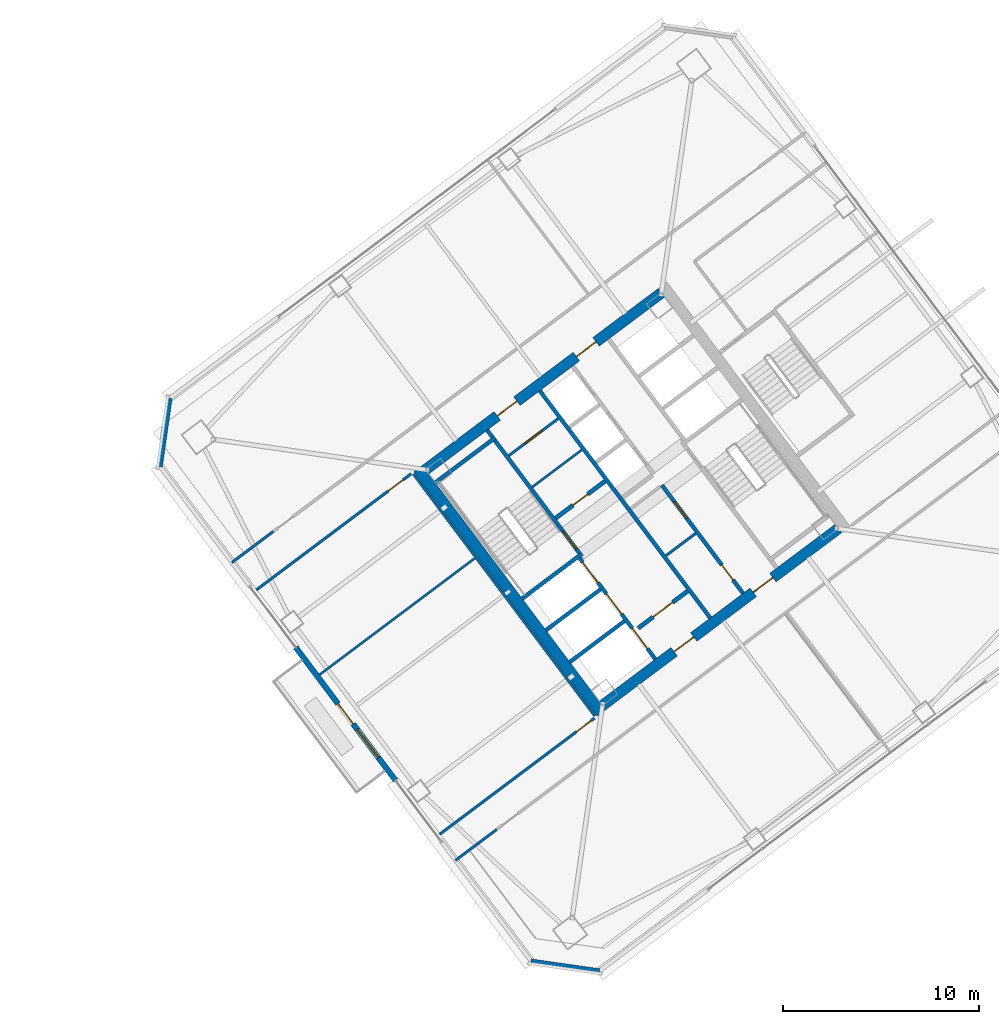
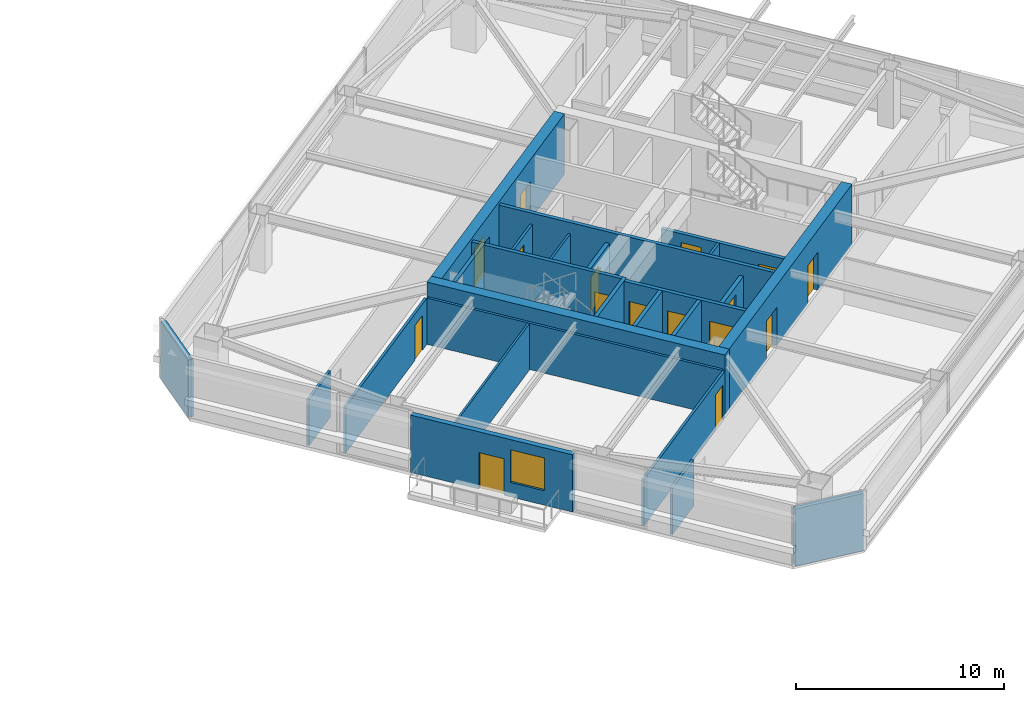
# One storey, part 32 of 40: 25 walls, 16 doors, 1 window, 17 openings.
"""IFC4 building model written with IfcOpenShell, lengths in metres."""

import ifcopenshell
import ifcopenshell.guid

model = None  # the IFC model being written
_history = None  # IfcOwnerHistory: only IFC2X3 demands one
_inside = {}  # id of a spatial element -> (the spatial element, [elements in it])
_under = {}  # id of a project, library or spatial element -> (it, [spatial elements below it])
_declared = {}  # id of a project -> (the project, [libraries it declares])
_typed = {}  # id of a type object -> (the type object, [elements of that type])
_made_of = {}  # id of a material, layer set ... -> (it, [elements and type objects made of it])


def new_model(schema):
    """Start an empty IFC model of exactly this schema.

    Asked for "IFC4X3", IfcOpenShell would pick the latest addendum, in which some entities
    have other attributes; the version numbers below select the first issue.
    IFC2X3 requires an IfcOwnerHistory on every rooted entity: one is made here for all.
    """
    global model, _history
    if schema == "IFC4X3":
        model = ifcopenshell.file(schema_version=(4, 3, 0, 0))
    else:
        model = ifcopenshell.file(schema=schema)
    _inside.clear()
    _under.clear()
    _declared.clear()
    _typed.clear()
    _made_of.clear()
    _history = None
    if model.schema == "IFC2X3":
        org = make("IfcOrganization", Name="unknown")
        user = make(
            "IfcPersonAndOrganization",
            ThePerson=make("IfcPerson", FamilyName="unknown"),
            TheOrganization=org,
        )
        app = make(
            "IfcApplication",
            ApplicationDeveloper=org,
            Version="unknown",
            ApplicationFullName="unknown",
            ApplicationIdentifier="unknown",
        )
        _history = make(
            "IfcOwnerHistory",
            OwningUser=user,
            OwningApplication=app,
            ChangeAction="ADDED",
            CreationDate=0,
        )
    return model


def make(cls, **values):
    """One entity of the class cls with the attributes given. An attribute that is None is left unset."""
    return model.create_entity(
        cls, **{name: value for name, value in values.items() if value is not None}
    )


def rooted(cls, **values):
    """An entity with a GlobalId (a new one), such as an element, a storey or a relation."""
    return make(cls, GlobalId=ifcopenshell.guid.new(), OwnerHistory=_history, **values)


def si_unit(unit_type, name, prefix=None):
    """IfcSIUnit, for example si_unit("LENGTHUNIT", "METRE", prefix="MILLI")."""
    return make("IfcSIUnit", UnitType=unit_type, Prefix=prefix, Name=name)


def assignment(units):
    """IfcUnitAssignment: the units of a project."""
    return None if units is None else make("IfcUnitAssignment", Units=units)


def point(xyz):
    """IfcCartesianPoint."""
    return None if xyz is None else make("IfcCartesianPoint", Coordinates=xyz)


def direction(xyz):
    """IfcDirection."""
    return None if xyz is None else make("IfcDirection", DirectionRatios=xyz)


def frame(location, z_axis=None, x_axis=None):
    """IfcAxis2Placement3D, a coordinate frame: its origin and axes. An axis left out is left unset."""
    return make(
        "IfcAxis2Placement3D",
        Location=point(location),
        Axis=direction(z_axis),
        RefDirection=direction(x_axis),
    )


def frame_2d(location, x_axis=None):
    """IfcAxis2Placement2D, a coordinate frame in the plane: its origin and x axis."""
    return make(
        "IfcAxis2Placement2D", Location=point(location), RefDirection=direction(x_axis)
    )


def origin():
    """The frame at (0, 0, 0) with its axes left unset."""
    return frame((0.0, 0.0, 0.0))


def place(relative_to, where):
    """IfcLocalPlacement: puts the frame where relative to a parent placement (None: the world)."""
    return make(
        "IfcLocalPlacement", PlacementRelTo=relative_to, RelativePlacement=where
    )


def context(
    kind, dimensions, precision=None, world=None, true_north=None, identifier=None
):
    """IfcGeometricRepresentationContext, for example the 3D "Model" context."""
    return make(
        "IfcGeometricRepresentationContext",
        ContextIdentifier=identifier,
        ContextType=kind,
        CoordinateSpaceDimension=dimensions,
        Precision=precision,
        WorldCoordinateSystem=world,
        TrueNorth=true_north,
    )


def subcontext(parent, identifier, kind, view, scale=None):
    """IfcGeometricRepresentationSubContext, for example "Body" below "Model"."""
    return make(
        "IfcGeometricRepresentationSubContext",
        ContextIdentifier=identifier,
        ContextType=kind,
        ParentContext=parent,
        TargetScale=scale,
        TargetView=view,
    )


def project(units=None, contexts=None):
    """IfcProject with its units and contexts."""
    return rooted(
        "IfcProject",
        Name="project",
        RepresentationContexts=contexts,
        UnitsInContext=assignment(units),
    )


def spatial(cls, under=None, at=None, **own):
    """A site, building, storey or space (cls), placed at a placement, below another one or the project."""
    s = rooted(cls, ObjectPlacement=at, **own)
    if under is not None:
        _under.setdefault(under.id(), (under, []))[1].append(s)
    return s


def profile(cls, at=None, kind="AREA", **sizes):
    """A parametric profile (cls). Its sizes go by their IFC names, for example OverallWidth=200.0."""
    return make(cls, ProfileType=kind, Position=at, **sizes)


def rectangle(**sizes):
    """IfcRectangleProfileDef."""
    return profile("IfcRectangleProfileDef", **sizes)


def extrude(swept, where, along, depth):
    """IfcExtrudedAreaSolid: the profile swept, set in the frame where, extruded along a direction by depth."""
    return make(
        "IfcExtrudedAreaSolid",
        SweptArea=swept,
        Position=where,
        ExtrudedDirection=direction(along),
        Depth=depth,
    )


def shape(context_of_items, identifier, shape_type, items):
    """IfcShapeRepresentation: the items that make up one representation, for example the "Body"."""
    return make(
        "IfcShapeRepresentation",
        ContextOfItems=context_of_items,
        RepresentationIdentifier=identifier,
        RepresentationType=shape_type,
        Items=items,
    )


def material(Name=None, Category=None):
    """IfcMaterial."""
    return make("IfcMaterial", Name=Name, Category=Category)


def layer(
    of_material, thickness, ventilated=None, Name=None, Category=None, Priority=None
):
    """IfcMaterialLayer: one layer of a wall or slab, of a material (None: an air gap)."""
    return make(
        "IfcMaterialLayer",
        Material=of_material,
        LayerThickness=thickness,
        IsVentilated=ventilated,
        Name=Name,
        Category=Category,
        Priority=Priority,
    )


def layer_set(layers, Name=None):
    """IfcMaterialLayerSet."""
    return make("IfcMaterialLayerSet", MaterialLayers=layers, LayerSetName=Name)


def made_of(thing, what):
    """Note that an element or type object is made of a material, layer set ...; save() writes the relation."""
    if what is not None:
        _made_of.setdefault(what.id(), (what, []))[1].append(thing)
    return thing


def type_object(cls, material=None, **own):
    """A type object (cls), such as IfcWallType, which elements share."""
    return made_of(rooted(cls, **own), material)


def element(
    cls,
    number,
    at=None,
    inside=None,
    cuts=None,
    type_object=None,
    material=None,
    context=None,
    identifier="Body",
    shape_type=None,
    held_by="IfcProductDefinitionShape",
    body=None,
    shapes=None,
    **own,
):
    """One element of the class cls, such as IfcWall. Its Tag is "e" and its number.

    at: its placement. inside: the storey or other place that contains it. cuts: it is an
    opening in that element (IfcRelVoidsElement). A single representation is given by context,
    identifier, shape_type and body (its items); several are given by shapes. held_by: the class
    of the entity that holds the representations. save() writes the other relations.
    """
    e = rooted(cls, Tag="e%d" % number, ObjectPlacement=at, **own)
    if body is not None:
        shapes = [shape(context, identifier, shape_type, body)]
    if shapes is not None:
        e.Representation = make(held_by, Representations=shapes)
    if inside is not None:
        _inside.setdefault(inside.id(), (inside, []))[1].append(e)
    if cuts is not None:
        rooted(
            "IfcRelVoidsElement", RelatingBuildingElement=cuts, RelatedOpeningElement=e
        )
    if type_object is not None:
        _typed.setdefault(type_object.id(), (type_object, []))[1].append(e)
    return made_of(e, material)


def fill(opening, filler):
    """IfcRelFillsElement: the door or window that sits in an opening."""
    return rooted(
        "IfcRelFillsElement",
        RelatingOpeningElement=opening,
        RelatedBuildingElement=filler,
    )


def aggregate(whole, parts):
    """IfcRelAggregates: a whole, such as a stair, and the parts it consists of."""
    return rooted("IfcRelAggregates", RelatingObject=whole, RelatedObjects=parts)


def save(model, path):
    """Write the relations noted so far, then the file.

    IfcRelAggregates (storeys below a building ...), IfcRelContainedInSpatialStructure (elements
    in a storey), IfcRelDefinesByType, IfcRelAssociatesMaterial and IfcRelDeclares: one each for
    every whole, place, type object, material and project.
    """
    for whole, parts in _under.values():
        aggregate(whole, parts)
    for where, things in _inside.values():
        rooted(
            "IfcRelContainedInSpatialStructure",
            RelatedElements=things,
            RelatingStructure=where,
        )
    for kind, things in _typed.values():
        rooted("IfcRelDefinesByType", RelatedObjects=things, RelatingType=kind)
    for what, things in _made_of.values():
        rooted("IfcRelAssociatesMaterial", RelatedObjects=things, RelatingMaterial=what)
    for by, libraries in _declared.values():
        rooted("IfcRelDeclares", RelatingContext=by, RelatedDefinitions=libraries)
    model.write(path)


model = new_model("IFC4")

# Units and contexts
model_context = context("Model", 3, precision=1e-05, world=origin(), true_north=direction((0.0, 1.0)))
body_context = subcontext(model_context, "Body", "Model", "MODEL_VIEW")
ifc_project = project(units=[si_unit("LENGTHUNIT", "METRE"), si_unit("AREAUNIT", "SQUARE_METRE"), si_unit("VOLUMEUNIT", "CUBIC_METRE"), si_unit("PLANEANGLEUNIT", "RADIAN"), si_unit("MASSUNIT", "GRAM", prefix="KILO")], contexts=[model_context])

# Site, building, storey
site_placement = place(None, origin())
site = spatial("IfcSite", under=ifc_project, at=site_placement, CompositionType="ELEMENT")
building_placement = place(site_placement, origin())
building = spatial("IfcBuilding", under=site, at=building_placement, Name="Tashvorn Skyway Center", CompositionType="ELEMENT")
storey_placement = place(building_placement, frame((0.0, 0.0, 142.800048828125)))
storey = spatial("IfcBuildingStorey", under=building, at=storey_placement, Name="L38", CompositionType="ELEMENT", Elevation=142.800048828125)

# Wall
ifc_material_1 = material(Name="Concrete C60/75", Category="concrete")
ifc_layer_1 = layer(ifc_material_1, 0.550048828125)
ifc_layer_set_1 = layer_set([ifc_layer_1], Name="Concrete C60/75")
wall_type_1 = type_object("IfcWallType", Name="WALL-CORE-550", PredefinedType="SHEAR", material=ifc_layer_set_1)
wall_1_placement = place(storey_placement, frame((112.43603515625, 21.076904296875, 0.0), z_axis=(0.0, 0.0, 1.0), x_axis=(-0.600005007985, 0.799996243986, 0.0)))
element("IfcWall", 1, at=wall_1_placement, inside=storey, type_object=wall_type_1, Name="Tower 2 L38 West Core Shear Wall", PredefinedType="SHEAR", context=body_context, shape_type="SweptSolid", body=[
    extrude(rectangle(XDim=15.60009765625, YDim=0.550048828125, at=frame_2d((7.800048828125, 0.0))), origin(), (0.0, 0.0, 1.0), 3.550048828125),
])

# Wall, openings, doors
wall_2_placement = place(storey_placement, frame((124.5390625, 30.498046875, 0.0), z_axis=(0.0, 0.0, 1.0), x_axis=(-0.799998054672, -0.600002593761, 0.0)))
wall_2 = element("IfcWall", 2, at=wall_2_placement, inside=storey, type_object=wall_type_1, Name="Tower 2 L38 South Core Shear Wall", PredefinedType="SHEAR", context=body_context, shape_type="SweptSolid", body=[
    extrude(rectangle(XDim=15.06005859375, YDim=0.550048828125, at=frame_2d((7.530029296875, 0.0))), origin(), (0.0, 0.0, 1.0), 3.550048828125),
])
opening_1_placement = place(wall_2_placement, frame((9.22998046875, 0.0, 0.0)))
opening_1 = element("IfcOpeningElement", 3, at=opening_1_placement, cuts=wall_2, Name="Opening D-FFL-1250", PredefinedType="OPENING", context=body_context, shape_type="SweptSolid", body=[
    extrude(rectangle(XDim=1.25, YDim=2.25, at=frame_2d((0.625, 1.125))), frame((0.0, 0.284912109375, 0.0), z_axis=(0.0, -1.0, 0.0), x_axis=(1.0, 0.0, 0.0)), (0.0, 0.0, 1.0), 0.570068359375),
])
opening_2_placement = place(wall_2_placement, frame((4.179931640625, 0.0, 0.0)))
opening_2 = element("IfcOpeningElement", 4, at=opening_2_placement, cuts=wall_2, Name="Opening D-FFL-1250", PredefinedType="OPENING", context=body_context, shape_type="SweptSolid", body=[
    extrude(rectangle(XDim=1.25, YDim=2.25, at=frame_2d((0.625, 1.125))), frame((0.0, 0.284912109375, 0.0), z_axis=(0.0, -1.0, 0.0), x_axis=(1.0, 0.0, 0.0)), (0.0, 0.0, 1.0), 0.570068359375),
])
ifc_material_2 = material(Name="Hollow galvanized steel fire door assembly", Category="steel")
door_type_1 = type_object("IfcDoorType", Name="DOOR-FFL-1250", OperationType="NOTDEFINED", PredefinedType="DOOR", material=ifc_material_2)
door_1_placement = place(opening_1_placement, origin())
door_1 = element("IfcDoor", 5, at=door_1_placement, inside=storey, type_object=door_type_1, Name="Tower 2 L38 Core South Firefighting Exit Door", OperationType="SINGLE_SWING_LEFT", OverallHeight=2.25, OverallWidth=1.25, PredefinedType="DOOR", context=body_context, shape_type="SweptSolid", body=[
    extrude(rectangle(XDim=1.25, YDim=2.25, at=frame_2d((0.625, 1.125))), frame((0.0, 0.02490234375, 0.0), z_axis=(0.0, -1.0, 0.0), x_axis=(1.0, 0.0, 0.0)), (0.0, 0.0, 1.0), 0.050048828125),
])
fill(opening_1, door_1)
door_2_placement = place(opening_2_placement, origin())
door_2 = element("IfcDoor", 6, at=door_2_placement, inside=storey, type_object=door_type_1, Name="Tower 2 L38 Core South Lift Lobby Door", OperationType="SINGLE_SWING_RIGHT", OverallHeight=2.25, OverallWidth=1.25, PredefinedType="DOOR", context=body_context, shape_type="SweptSolid", body=[
    extrude(rectangle(XDim=1.25, YDim=2.25, at=frame_2d((0.625, 1.125))), frame((0.0, 0.02490234375, 0.0), z_axis=(0.0, -1.0, 0.0), x_axis=(1.0, 0.0, 0.0)), (0.0, 0.0, 1.0), 0.050048828125),
])
fill(opening_2, door_2)

wall_3_placement = place(storey_placement, frame((103.4609375, 33.501953125, 0.0), z_axis=(0.0, 0.0, 1.0), x_axis=(0.799998054672, 0.600002593761, 0.0)))
wall_3 = element("IfcWall", 7, at=wall_3_placement, inside=storey, type_object=wall_type_1, Name="Tower 2 L38 North Core Shear Wall", PredefinedType="SHEAR", context=body_context, shape_type="SweptSolid", body=[
    extrude(rectangle(XDim=15.06005859375, YDim=0.550048828125, at=frame_2d((7.530029296875, 0.0))), origin(), (0.0, 0.0, 1.0), 3.550048828125),
])
opening_3_placement = place(wall_3_placement, frame((4.580078125, 0.0, 0.0)))
opening_3 = element("IfcOpeningElement", 8, at=opening_3_placement, cuts=wall_3, Name="Opening D-FFL-1250", PredefinedType="OPENING", context=body_context, shape_type="SweptSolid", body=[
    extrude(rectangle(XDim=1.25, YDim=2.25, at=frame_2d((0.625, 1.125))), frame((0.0, 0.284912109375, 0.0), z_axis=(0.0, -1.0, 0.0), x_axis=(1.0, 0.0, 0.0)), (0.0, 0.0, 1.0), 0.570068359375),
])
opening_4_placement = place(wall_3_placement, frame((9.6298828125, 0.0, 0.0)))
opening_4 = element("IfcOpeningElement", 9, at=opening_4_placement, cuts=wall_3, Name="Opening D-FFL-1250", PredefinedType="OPENING", context=body_context, shape_type="SweptSolid", body=[
    extrude(rectangle(XDim=1.25, YDim=2.25, at=frame_2d((0.625, 1.125))), frame((0.0, 0.284912109375, 0.0), z_axis=(0.0, -1.0, 0.0), x_axis=(1.0, 0.0, 0.0)), (0.0, 0.0, 1.0), 0.570068359375),
])
door_3_placement = place(opening_3_placement, origin())
door_3 = element("IfcDoor", 10, at=door_3_placement, inside=storey, type_object=door_type_1, Name="Tower 2 L38 Core North Service Lobby Door", OperationType="SINGLE_SWING_LEFT", OverallHeight=2.25, OverallWidth=1.25, PredefinedType="DOOR", context=body_context, shape_type="SweptSolid", body=[
    extrude(rectangle(XDim=1.25, YDim=2.25, at=frame_2d((0.625, 1.125))), frame((0.0, 0.02490234375, 0.0), z_axis=(0.0, -1.0, 0.0), x_axis=(1.0, 0.0, 0.0)), (0.0, 0.0, 1.0), 0.050048828125),
])
fill(opening_3, door_3)
door_4_placement = place(opening_4_placement, origin())
door_4 = element("IfcDoor", 11, at=door_4_placement, inside=storey, type_object=door_type_1, Name="Tower 2 L38 Core North Lift Lobby Door", OperationType="SINGLE_SWING_RIGHT", OverallHeight=2.25, OverallWidth=1.25, PredefinedType="DOOR", context=body_context, shape_type="SweptSolid", body=[
    extrude(rectangle(XDim=1.25, YDim=2.25, at=frame_2d((0.625, 1.125))), frame((0.0, 0.02490234375, 0.0), z_axis=(0.0, -1.0, 0.0), x_axis=(1.0, 0.0, 0.0)), (0.0, 0.0, 1.0), 0.050048828125),
])
fill(opening_4, door_4)

# Wall, openings, door, window
ifc_material_3 = material(Name="Precast concrete C40/50", Category="concrete")
ifc_layer_2 = layer(ifc_material_3, 0.280029296875)
ifc_layer_set_2 = layer_set([ifc_layer_2], Name="Precast concrete C40/50")
wall_type_2 = type_object("IfcWallType", Name="WALL-EXT-280", PredefinedType="SOLIDWALL", material=ifc_layer_set_2)
wall_4_placement = place(storey_placement, frame((101.926025390625, 17.632080078125, 0.0), z_axis=(0.0, 0.0, 1.0), x_axis=(-0.600018382406, 0.799986212866, 0.0)))
wall_4 = element("IfcWall", 12, at=wall_4_placement, inside=storey, type_object=wall_type_2, Name="Tower 2 L38 West Terrace Portal Wall", PredefinedType="SOLIDWALL", context=body_context, shape_type="SweptSolid", body=[
    extrude(rectangle(XDim=8.5, YDim=0.280029296875, at=frame_2d((4.25, 0.0))), origin(), (0.0, 0.0, 1.0), 3.369873046875),
])
opening_5_placement = place(wall_4_placement, frame((3.60009765625, 0.0, 0.0)))
opening_5 = element("IfcOpeningElement", 13, at=opening_5_placement, cuts=wall_4, Name="Opening D-TER-1300", PredefinedType="OPENING", context=body_context, shape_type="SweptSolid", body=[
    extrude(rectangle(XDim=1.300048828125, YDim=2.14990234375, at=frame_2d((0.64990234375, 1.074951171875))), frame((0.0, 0.14990234375, 0.0), z_axis=(0.0, -1.0, 0.0), x_axis=(1.0, 0.0, 0.0)), (0.0, 0.0, 1.0), 0.300048828125),
])
opening_6_placement = place(wall_4_placement, frame((1.4599609375, 0.0, 0.85009765625)))
opening_6 = element("IfcOpeningElement", 14, at=opening_6_placement, cuts=wall_4, Name="Opening WIN-1800", PredefinedType="OPENING", context=body_context, shape_type="SweptSolid", body=[
    extrude(rectangle(XDim=1.800048828125, YDim=1.919921875, at=frame_2d((0.89990234375, 0.9599609375))), frame((0.0, 0.14990234375, 0.0), z_axis=(0.0, -1.0, 0.0), x_axis=(1.0, 0.0, 0.0)), (0.0, 0.0, 1.0), 0.300048828125),
])
ifc_material_4 = material(Name="Thermally broken bronze-anodized aluminium 6063-T6", Category="aluminium")
door_type_2 = type_object("IfcDoorType", Name="DOOR-TERR-1300", OperationType="NOTDEFINED", PredefinedType="DOOR", material=ifc_material_4)
door_5_placement = place(opening_5_placement, origin())
door_5 = element("IfcDoor", 15, at=door_5_placement, inside=storey, type_object=door_type_2, Name="Tower 2 L38 Terrace Access Door", OperationType="SINGLE_SWING_LEFT", OverallHeight=2.14990234375, OverallWidth=1.300048828125, PredefinedType="DOOR", context=body_context, shape_type="SweptSolid", body=[
    extrude(rectangle(XDim=1.300048828125, YDim=2.14990234375, at=frame_2d((0.64990234375, 1.074951171875))), frame((0.0, 0.02490234375, 0.0), z_axis=(0.0, -1.0, 0.0), x_axis=(1.0, 0.0, 0.0)), (0.0, 0.0, 1.0), 0.050048828125),
])
fill(opening_5, door_5)
ifc_material_5 = material(Name="Low-E solar-control double insulating safety glass", Category="glass")
window_type = type_object("IfcWindowType", Name="WIN-TERR-1800", PartitioningType="SINGLE_PANEL", PredefinedType="WINDOW", material=ifc_material_5)
window_placement = place(opening_6_placement, origin())
window = element("IfcWindow", 16, at=window_placement, inside=storey, type_object=window_type, Name="Tower 2 L38 Terrace Window", OverallHeight=1.919921875, OverallWidth=1.800048828125, PartitioningType="SINGLE_PANEL", PredefinedType="WINDOW", context=body_context, shape_type="SweptSolid", body=[
    extrude(rectangle(XDim=1.800048828125, YDim=1.919921875, at=frame_2d((0.89990234375, 0.9599609375))), frame((0.0, 0.030029296875, 0.0), z_axis=(0.0, -1.0, 0.0), x_axis=(1.0, 0.0, 0.0)), (0.0, 0.0, 1.0), 0.06005859375),
])
fill(opening_6, window)

# Walls
for number, where, z_axis, x_axis, name in (
    (17, (112.340087890625, 7.8798828125, 0.0), (0.0, 0.0, 1.0), (-0.989949493661, 0.141421356237, 0.0), "Tower 2 L38 SW Precast Chamfer Wall"),
    (18, (89.8798828125, 33.659912109375, 0.0), (0.0, 0.0, 1.0), (0.141421356237, 0.989949493661, 0.0), "Tower 2 L38 NW Precast Chamfer Wall"),
):
    element("IfcWall", number, at=place(storey_placement, frame(where, z_axis=z_axis, x_axis=x_axis)), inside=storey, type_object=wall_type_2, Name=name, PredefinedType="SOLIDWALL", context=body_context, shape_type="SweptSolid", body=[
        extrude(rectangle(XDim=3.53564453125, YDim=0.280029296875, at=frame_2d((1.767822265625, 0.0))), origin(), (0.0, 0.0, 1.0), 3.369873046875),
    ])

# Wall, opening, door
ifc_material_6 = material(Name="Concrete C40/50", Category="concrete")
ifc_layer_3 = layer(ifc_material_6, 0.219970703125)
ifc_layer_set_3 = layer_set([ifc_layer_3], Name="Concrete C40/50")
wall_type_3 = type_object("IfcWallType", Name="WALL-FFL-220", PredefinedType="SOLIDWALL", material=ifc_layer_set_3)
wall_5_placement = place(storey_placement, frame((110.10400390625, 31.028076171875, 0.0), z_axis=(0.0, 0.0, 1.0), x_axis=(0.800018601094, 0.59997519774, 0.0)))
wall_5 = element("IfcWall", 19, at=wall_5_placement, inside=storey, type_object=wall_type_3, Name="Tower 2 L38 Firefighting Lobby North Wall", PredefinedType="SOLIDWALL", context=body_context, shape_type="SweptSolid", body=[
    extrude(rectangle(XDim=3.14990234375, YDim=0.219970703125, at=frame_2d((1.574951171875, 0.0))), origin(), (0.0, 0.0, 1.0), 2.722900390625),
])
opening_7_placement = place(wall_5_placement, frame((1.10009765625, 0.0, 0.0)))
opening_7 = element("IfcOpeningElement", 20, at=opening_7_placement, cuts=wall_5, Name="Opening D-RT-950", PredefinedType="OPENING", context=body_context, shape_type="SweptSolid", body=[
    extrude(rectangle(XDim=0.949951171875, YDim=2.050048828125, at=frame_2d((0.47509765625, 1.02490234375))), frame((0.0, 0.119873046875, 0.0), z_axis=(0.0, -1.0, 0.0), x_axis=(1.0, 0.0, 0.0)), (0.0, 0.0, 1.0), 0.239990234375),
])
door_type_3 = type_object("IfcDoorType", Name="DOOR-RATED-950", OperationType="NOTDEFINED", PredefinedType="DOOR", material=ifc_material_2)
door_6_placement = place(opening_7_placement, origin())
door_6 = element("IfcDoor", 21, at=door_6_placement, inside=storey, type_object=door_type_3, Name="Tower 2 L38 Core Linen Store Door", OperationType="SINGLE_SWING_LEFT", OverallHeight=2.050048828125, OverallWidth=0.949951171875, PredefinedType="DOOR", context=body_context, shape_type="SweptSolid", body=[
    extrude(rectangle(XDim=0.949951171875, YDim=2.050048828125, at=frame_2d((0.47509765625, 1.02490234375))), frame((0.0, 0.02490234375, 0.0), z_axis=(0.0, -1.0, 0.0), x_axis=(1.0, 0.0, 0.0)), (0.0, 0.0, 1.0), 0.050048828125),
])
fill(opening_7, door_6)

wall_6_placement = place(storey_placement, frame((114.31591796875, 25.412109375, 0.0), z_axis=(0.0, 0.0, 1.0), x_axis=(0.800018601094, 0.59997519774, 0.0)))
wall_6 = element("IfcWall", 22, at=wall_6_placement, inside=storey, type_object=wall_type_3, Name="Tower 2 L38 Firefighting Lobby South Wall", PredefinedType="SOLIDWALL", context=body_context, shape_type="SweptSolid", body=[
    extrude(rectangle(XDim=3.14990234375, YDim=0.219970703125, at=frame_2d((1.574951171875, 0.0))), origin(), (0.0, 0.0, 1.0), 2.722900390625),
])
opening_8_placement = place(wall_6_placement, frame((0.949951171875, 0.0, 0.0)))
opening_8 = element("IfcOpeningElement", 23, at=opening_8_placement, cuts=wall_6, Name="Opening D-FFL-1250", PredefinedType="OPENING", context=body_context, shape_type="SweptSolid", body=[
    extrude(rectangle(XDim=1.25, YDim=2.25, at=frame_2d((0.625, 1.125))), frame((0.0, 0.119873046875, 0.0), z_axis=(0.0, -1.0, 0.0), x_axis=(1.0, 0.0, 0.0)), (0.0, 0.0, 1.0), 0.239990234375),
])
door_7_placement = place(opening_8_placement, origin())
door_7 = element("IfcDoor", 24, at=door_7_placement, inside=storey, type_object=door_type_1, Name="Tower 2 L38 Firefighting Lobby Egress Door", OperationType="SINGLE_SWING_LEFT", OverallHeight=2.25, OverallWidth=1.25, PredefinedType="DOOR", context=body_context, shape_type="SweptSolid", body=[
    extrude(rectangle(XDim=1.25, YDim=2.25, at=frame_2d((0.625, 1.125))), frame((0.0, 0.02490234375, 0.0), z_axis=(0.0, -1.0, 0.0), x_axis=(1.0, 0.0, 0.0)), (0.0, 0.0, 1.0), 0.050048828125),
])
fill(opening_8, door_7)

# Walls
ifc_material_7 = material(Name="Gypsum board on cold-formed steel stud framing", Category="steel")
ifc_layer_4 = layer(ifc_material_7, 0.110107421875)
ifc_layer_set_4 = layer_set([ifc_layer_4], Name="Gypsum board on cold-formed steel stud framing")
wall_type_4 = type_object("IfcWallType", Name="WALL-PART-110", PredefinedType="PARTITIONING", material=ifc_layer_set_4)
wall_7_placement = place(storey_placement, frame((98.055908203125, 23.0419921875, 0.0), z_axis=(0.0, 0.0, 1.0), x_axis=(0.8, 0.6, 0.0)))
element("IfcWall", 25, at=wall_7_placement, inside=storey, type_object=wall_type_4, Name="Tower 2 L38 West Mid Partition", PredefinedType="PARTITIONING", context=body_context, shape_type="SweptSolid", body=[
    extrude(rectangle(XDim=9.89013671875, YDim=0.110107421875, at=frame_2d((4.945068359375, 0.0))), origin(), (0.0, 0.0, 1.0), 2.722900390625),
])
ifc_layer_5 = layer(ifc_material_7, 0.135009765625)
ifc_layer_set_5 = layer_set([ifc_layer_5], Name="Gypsum board on cold-formed steel stud framing")
wall_type_5 = type_object("IfcWallType", Name="WALL-PART-135", PredefinedType="PARTITIONING", material=ifc_layer_set_5)
for number, where, z_axis, x_axis, name in (
    (26, (93.573974609375, 28.76806640625, 0.0), (0.0, 0.0, 1.0), (0.80002227902, 0.599970293491, 0.0), "Tower 2 L38 North-West Suite South Wall"),
    (27, (104.986083984375, 13.552001953125, 0.0), (0.0, 0.0, 1.0), (0.80002227902, 0.599970293491, 0.0), "Tower 2 L38 South-West Suite North Wall"),
):
    element("IfcWall", number, at=place(storey_placement, frame(where, z_axis=z_axis, x_axis=x_axis)), inside=storey, type_object=wall_type_5, Name=name, PredefinedType="PARTITIONING", context=body_context, shape_type="SweptSolid", body=[
        extrude(rectangle(XDim=2.6298828125, YDim=0.135009765625, at=frame_2d((1.31494140625, 0.0))), origin(), (0.0, 0.0, 1.0), 2.722900390625),
    ])
wall_8_placement = place(storey_placement, frame((112.10400390625, 20.927978515625, 0.0), z_axis=(0.0, 0.0, 1.0), x_axis=(-0.599994940075, 0.800003794918, 0.0)))
element("IfcWall", 28, at=wall_8_placement, inside=storey, type_object=wall_type_5, Name="Tower 2 L38 West Inner Suite Wall", PredefinedType="PARTITIONING", context=body_context, shape_type="SweptSolid", body=[
    extrude(rectangle(XDim=15.43994140625, YDim=0.135009765625, at=frame_2d((7.719970703125, 0.0))), origin(), (0.0, 0.0, 1.0), 2.722900390625),
])

# Wall, opening, door
wall_9_placement = place(storey_placement, frame((102.72802734375, 33.2958984375, 0.0), z_axis=(0.0, 0.0, 1.0), x_axis=(-0.800011848946, -0.599984201081, 0.0)))
wall_9 = element("IfcWall", 29, at=wall_9_placement, inside=storey, type_object=wall_type_5, Name="Tower 2 L38 West Suite North Wall", PredefinedType="PARTITIONING", context=body_context, shape_type="SweptSolid", body=[
    extrude(rectangle(XDim=9.889892578125, YDim=0.135009765625, at=frame_2d((4.94482421875, 0.0))), origin(), (0.0, 0.0, 1.0), 2.722900390625),
])
opening_9_placement = place(wall_9_placement, frame((0.5, 0.0, 0.0)))
opening_9 = element("IfcOpeningElement", 30, at=opening_9_placement, cuts=wall_9, Name="Opening D-INT-950", PredefinedType="OPENING", context=body_context, shape_type="SweptSolid", body=[
    extrude(rectangle(XDim=0.949951171875, YDim=2.050048828125, at=frame_2d((0.47509765625, 1.02490234375))), frame((0.0, 0.077392578125, 0.0), z_axis=(0.0, -1.0, 0.0), x_axis=(1.0, 0.0, 0.0)), (0.0, 0.0, 1.0), 0.155029296875),
])
ifc_material_8 = material(Name="Solid-core architectural oak veneer door")
door_type_4 = type_object("IfcDoorType", Name="DOOR-INT-950", OperationType="NOTDEFINED", PredefinedType="DOOR", material=ifc_material_8)
door_8_placement = place(opening_9_placement, origin())
door_8 = element("IfcDoor", 31, at=door_8_placement, inside=storey, type_object=door_type_4, Name="Tower 2 L38 Corporate Office Door", OperationType="SINGLE_SWING_RIGHT", OverallHeight=2.050048828125, OverallWidth=0.949951171875, PredefinedType="DOOR", context=body_context, shape_type="SweptSolid", body=[
    extrude(rectangle(XDim=0.949951171875, YDim=2.050048828125, at=frame_2d((0.47509765625, 1.02490234375))), frame((0.0, 0.02490234375, 0.0), z_axis=(0.0, -1.0, 0.0), x_axis=(1.0, 0.0, 0.0)), (0.0, 0.0, 1.0), 0.050048828125),
])
fill(opening_9, door_8)

wall_10_placement = place(storey_placement, frame((104.176025390625, 14.882080078125, 0.0), z_axis=(0.0, 0.0, 1.0), x_axis=(0.800002962324, 0.599996050214, 0.0)))
wall_10 = element("IfcWall", 32, at=wall_10_placement, inside=storey, type_object=wall_type_5, Name="Tower 2 L38 West Suite South Wall", PredefinedType="PARTITIONING", context=body_context, shape_type="SweptSolid", body=[
    extrude(rectangle(XDim=9.889892578125, YDim=0.135009765625, at=frame_2d((4.94482421875, 0.0))), origin(), (0.0, 0.0, 1.0), 2.722900390625),
])
opening_10_placement = place(wall_10_placement, frame((8.72998046875, 0.0, 0.0)))
opening_10 = element("IfcOpeningElement", 33, at=opening_10_placement, cuts=wall_10, Name="Opening D-INT-950", PredefinedType="OPENING", context=body_context, shape_type="SweptSolid", body=[
    extrude(rectangle(XDim=0.949951171875, YDim=2.050048828125, at=frame_2d((0.47509765625, 1.02490234375))), frame((0.0, 0.077392578125, 0.0), z_axis=(0.0, -1.0, 0.0), x_axis=(1.0, 0.0, 0.0)), (0.0, 0.0, 1.0), 0.155029296875),
])
door_9_placement = place(opening_10_placement, origin())
door_9 = element("IfcDoor", 34, at=door_9_placement, inside=storey, type_object=door_type_4, Name="Tower 2 L38 Public Restroom Door", OperationType="SINGLE_SWING_LEFT", OverallHeight=2.050048828125, OverallWidth=0.949951171875, PredefinedType="DOOR", context=body_context, shape_type="SweptSolid", body=[
    extrude(rectangle(XDim=0.949951171875, YDim=2.050048828125, at=frame_2d((0.47509765625, 1.02490234375))), frame((0.0, 0.02490234375, 0.0), z_axis=(0.0, -1.0, 0.0), x_axis=(1.0, 0.0, 0.0)), (0.0, 0.0, 1.0), 0.050048828125),
])
fill(opening_10, door_9)

# Wall
ifc_layer_6 = layer(ifc_material_7, 0.110107421875)
ifc_layer_set_6 = layer_set([ifc_layer_6], Name="Gypsum board on cold-formed steel stud framing")
wall_type_6 = type_object("IfcWallType", Name="WALL-RATED-110", PredefinedType="PARTITIONING", material=ifc_layer_set_6)
wall_11_placement = place(storey_placement, frame((108.909912109375, 32.6201171875, 0.0), z_axis=(0.0, 0.0, 1.0), x_axis=(0.800018601094, 0.59997519774, 0.0)))
element("IfcWall", 35, at=wall_11_placement, inside=storey, type_object=wall_type_6, Name="Tower 2 L38 Core Transverse Wall", PredefinedType="PARTITIONING", context=body_context, shape_type="SweptSolid", body=[
    extrude(rectangle(XDim=3.14990234375, YDim=0.110107421875, at=frame_2d((1.574951171875, 0.0))), origin(), (0.0, 0.0, 1.0), 2.722900390625),
])

# Wall, opening, door
ifc_layer_7 = layer(ifc_material_7, 0.135009765625)
ifc_layer_set_7 = layer_set([ifc_layer_7], Name="Gypsum board on cold-formed steel stud framing")
wall_type_7 = type_object("IfcWallType", Name="WALL-RATED-135", PredefinedType="PARTITIONING", material=ifc_layer_set_7)
wall_12_placement = place(storey_placement, frame((107.7099609375, 34.219970703125, 0.0), z_axis=(0.0, 0.0, 1.0), x_axis=(0.799981399002, 0.60002480053, 0.0)))
wall_12 = element("IfcWall", 36, at=wall_12_placement, inside=storey, type_object=wall_type_7, Name="Tower 2 L38 Core Service Lobby Wall", PredefinedType="PARTITIONING", context=body_context, shape_type="SweptSolid", body=[
    extrude(rectangle(XDim=3.150146484375, YDim=0.135009765625, at=frame_2d((1.5751953125, 0.0))), origin(), (0.0, 0.0, 1.0), 2.722900390625),
])
opening_11_placement = place(wall_12_placement, frame((1.050048828125, 0.0, 0.0)))
opening_11 = element("IfcOpeningElement", 37, at=opening_11_placement, cuts=wall_12, Name="Opening D-RT-1050", PredefinedType="OPENING", context=body_context, shape_type="SweptSolid", body=[
    extrude(rectangle(XDim=1.050048828125, YDim=2.199951171875, at=frame_2d((0.52490234375, 1.10009765625))), frame((0.0, 0.077392578125, 0.0), z_axis=(0.0, -1.0, 0.0), x_axis=(1.0, 0.0, 0.0)), (0.0, 0.0, 1.0), 0.155029296875),
])
door_type_5 = type_object("IfcDoorType", Name="DOOR-RATED-1050", OperationType="NOTDEFINED", PredefinedType="DOOR", material=ifc_material_2)
door_10_placement = place(opening_11_placement, origin())
door_10 = element("IfcDoor", 38, at=door_10_placement, inside=storey, type_object=door_type_5, Name="Tower 2 L38 Core Accessible WC Door", OperationType="SINGLE_SWING_RIGHT", OverallHeight=2.199951171875, OverallWidth=1.050048828125, PredefinedType="DOOR", context=body_context, shape_type="SweptSolid", body=[
    extrude(rectangle(XDim=1.050048828125, YDim=2.199951171875, at=frame_2d((0.52490234375, 1.10009765625))), frame((0.0, 0.02490234375, 0.0), z_axis=(0.0, -1.0, 0.0), x_axis=(1.0, 0.0, 0.0)), (0.0, 0.0, 1.0), 0.050048828125),
])
fill(opening_11, door_10)

# Walls
wall_13_placement = place(storey_placement, frame((115.74609375, 29.1220703125, 0.0), z_axis=(0.0, 0.0, 1.0), x_axis=(0.8, 0.6, 0.0)))
element("IfcWall", 39, at=wall_13_placement, inside=storey, type_object=wall_type_7, Name="Tower 2 L38 Freed Core Partition", PredefinedType="PARTITIONING", context=body_context, shape_type="SweptSolid", body=[
    extrude(rectangle(XDim=1.8798828125, YDim=0.135009765625, at=frame_2d((0.93994140625, 0.0))), origin(), (0.0, 0.0, 1.0), 2.722900390625),
])
ifc_layer_8 = layer(ifc_material_6, 0.199951171875)
ifc_layer_set_8 = layer_set([ifc_layer_8], Name="Concrete C40/50")
wall_type_8 = type_object("IfcWallType", Name="WALL-SHAFT-200", PredefinedType="SOLIDWALL", material=ifc_layer_set_8)
for number, where, z_axis, x_axis, name in (
    (40, (110.825927734375, 23.681884765625, 0.0), (0.0, 0.0, 1.0), (0.8, 0.6, 0.0), "Tower 2 L38 FSAE Shaft Divider"),
    (41, (109.60791015625, 25.305908203125, 0.0), (0.0, 0.0, 1.0), (0.8, 0.6, 0.0), "Tower 2 L38 FSAE Shaft Divider"),
):
    element("IfcWall", number, at=place(storey_placement, frame(where, z_axis=z_axis, x_axis=x_axis)), inside=storey, type_object=wall_type_8, Name=name, PredefinedType="SOLIDWALL", context=body_context, shape_type="SweptSolid", body=[
        extrude(rectangle(XDim=3.480224609375, YDim=0.199951171875, at=frame_2d((1.740234375, 0.0))), origin(), (0.0, 0.0, 1.0), 3.369873046875),
    ])

# Wall, openings, doors
wall_14_placement = place(storey_placement, frame((119.669921875, 27.18994140625, 0.0), z_axis=(0.0, 0.0, 1.0), x_axis=(-0.599988677396, 0.800008491828, 0.0)))
wall_14 = element("IfcWall", 42, at=wall_14_placement, inside=storey, type_object=wall_type_8, Name="Tower 2 L38 Low-Rise Core Wall", PredefinedType="SOLIDWALL", context=body_context, shape_type="SweptSolid", body=[
    extrude(rectangle(XDim=6.89990234375, YDim=0.199951171875, at=frame_2d((3.449951171875, 0.0))), origin(), (0.0, 0.0, 1.0), 2.722900390625),
])
opening_12_placement = place(wall_14_placement, frame((0.85009765625, 0.0, 0.0)))
opening_12 = element("IfcOpeningElement", 43, at=opening_12_placement, cuts=wall_14, Name="Opening D-RT-950", PredefinedType="OPENING", context=body_context, shape_type="SweptSolid", body=[
    extrude(rectangle(XDim=0.949951171875, YDim=2.050048828125, at=frame_2d((0.47509765625, 1.02490234375))), frame((0.0, 0.10986328125, 0.0), z_axis=(0.0, -1.0, 0.0), x_axis=(1.0, 0.0, 0.0)), (0.0, 0.0, 1.0), 0.219970703125),
])
opening_13_placement = place(wall_14_placement, frame((4.800048828125, 0.0, 0.0)))
opening_13 = element("IfcOpeningElement", 44, at=opening_13_placement, cuts=wall_14, Name="Opening D-RT-1050", PredefinedType="OPENING", context=body_context, shape_type="SweptSolid", body=[
    extrude(rectangle(XDim=1.050048828125, YDim=2.199951171875, at=frame_2d((0.52490234375, 1.10009765625))), frame((0.0, 0.10986328125, 0.0), z_axis=(0.0, -1.0, 0.0), x_axis=(1.0, 0.0, 0.0)), (0.0, 0.0, 1.0), 0.219970703125),
])
door_11_placement = place(opening_13_placement, origin())
door_11 = element("IfcDoor", 45, at=door_11_placement, inside=storey, type_object=door_type_5, Name="Tower 2 L38 Freed Core Room Door", OperationType="SINGLE_SWING_RIGHT", OverallHeight=2.199951171875, OverallWidth=1.050048828125, PredefinedType="DOOR", context=body_context, shape_type="SweptSolid", body=[
    extrude(rectangle(XDim=1.050048828125, YDim=2.199951171875, at=frame_2d((0.52490234375, 1.10009765625))), frame((0.0, 0.02490234375, 0.0), z_axis=(0.0, -1.0, 0.0), x_axis=(1.0, 0.0, 0.0)), (0.0, 0.0, 1.0), 0.050048828125),
])
fill(opening_13, door_11)
door_12_placement = place(opening_12_placement, origin())
door_12 = element("IfcDoor", 46, at=door_12_placement, inside=storey, type_object=door_type_3, Name="Tower 2 L38 Core Print Room Door", OperationType="SINGLE_SWING_LEFT", OverallHeight=2.050048828125, OverallWidth=0.949951171875, PredefinedType="DOOR", context=body_context, shape_type="SweptSolid", body=[
    extrude(rectangle(XDim=0.949951171875, YDim=2.050048828125, at=frame_2d((0.47509765625, 1.02490234375))), frame((0.0, 0.02490234375, 0.0), z_axis=(0.0, -1.0, 0.0), x_axis=(1.0, 0.0, 0.0)), (0.0, 0.0, 1.0), 0.050048828125),
])
fill(opening_12, door_12)

# Wall, opening, door
ifc_layer_9 = layer(ifc_material_6, 0.199951171875)
ifc_layer_set_9 = layer_set([ifc_layer_9], Name="Concrete C40/50")
wall_type_9 = type_object("IfcWallType", Name="WALL-STSHF-200", PredefinedType="SHEAR", material=ifc_layer_set_9)
wall_15_placement = place(storey_placement, frame((111.43994140625, 29.080078125, 0.0), z_axis=(0.0, 0.0, 1.0), x_axis=(-0.59999029481, 0.8000072788, 0.0)))
wall_15 = element("IfcWall", 47, at=wall_15_placement, inside=storey, type_object=wall_type_9, Name="Tower 2 L38 Stair 1 Enclosure Wall", PredefinedType="SHEAR", context=body_context, shape_type="SweptSolid", body=[
    extrude(rectangle(XDim=8.0498046875, YDim=0.199951171875, at=frame_2d((4.02490234375, 0.0))), origin(), (0.0, 0.0, 1.0), 3.369873046875),
])
opening_14_placement = place(wall_15_placement, frame((0.449951171875, 0.0, 0.0)))
opening_14 = element("IfcOpeningElement", 48, at=opening_14_placement, cuts=wall_15, Name="Opening D-ST-1150", PredefinedType="OPENING", context=body_context, shape_type="SweptSolid", body=[
    extrude(rectangle(XDim=1.14990234375, YDim=2.199951171875, at=frame_2d((0.574951171875, 1.10009765625))), frame((0.0, 0.10986328125, 0.0), z_axis=(0.0, -1.0, 0.0), x_axis=(1.0, 0.0, 0.0)), (0.0, 0.0, 1.0), 0.219970703125),
])
door_type_6 = type_object("IfcDoorType", Name="DOOR-STAIR-1150", OperationType="NOTDEFINED", PredefinedType="DOOR", material=ifc_material_2)
door_13_placement = place(opening_14_placement, origin())
door_13 = element("IfcDoor", 49, at=door_13_placement, inside=storey, type_object=door_type_6, Name="Tower 2 L38 Exit Stair 1 Door", OperationType="SINGLE_SWING_RIGHT", OverallHeight=2.199951171875, OverallWidth=1.14990234375, PredefinedType="DOOR", context=body_context, shape_type="SweptSolid", body=[
    extrude(rectangle(XDim=1.14990234375, YDim=2.199951171875, at=frame_2d((0.574951171875, 1.10009765625))), frame((0.0, 0.02490234375, 0.0), z_axis=(0.0, -1.0, 0.0), x_axis=(1.0, 0.0, 0.0)), (0.0, 0.0, 1.0), 0.050048828125),
])
fill(opening_14, door_13)

# Walls
for number, where, z_axis, x_axis, name in (
    (50, (108.39599609375, 26.922119140625, 0.0), (0.0, 0.0, 1.0), (0.800015298837, 0.599979601008, 0.0), "Tower 2 L38 Stair 1 South Wall"),
    (51, (103.9560546875, 32.842041015625, 0.0), (0.0, 0.0, 1.0), (0.800015298837, 0.599979601008, 0.0), "Tower 2 L38 Stair 1 North Wall"),
):
    element("IfcWall", number, at=place(storey_placement, frame(where, z_axis=z_axis, x_axis=x_axis)), inside=storey, type_object=wall_type_9, Name=name, PredefinedType="SHEAR", context=body_context, shape_type="SweptSolid", body=[
        extrude(rectangle(XDim=3.829833984375, YDim=0.199951171875, at=frame_2d((1.9150390625, 0.0))), origin(), (0.0, 0.0, 1.0), 3.369873046875),
    ])
wall_16_placement = place(storey_placement, frame((117.998046875, 25.93603515625, 0.0), z_axis=(0.0, 0.0, 1.0), x_axis=(-0.600002693989, 0.799997979501, 0.0)))
element("IfcWall", 52, at=wall_16_placement, inside=storey, type_object=wall_type_9, Name="Tower 2 L38 Firefighting Lobby East Smoke Barrier", PredefinedType="SHEAR", context=body_context, shape_type="SweptSolid", body=[
    extrude(rectangle(XDim=14.499755859375, YDim=0.199951171875, at=frame_2d((7.25, 0.0))), origin(), (0.0, 0.0, 1.0), 3.369873046875),
])

# Wall, openings, doors
wall_17_placement = place(storey_placement, frame((115.18994140625, 23.830078125, 0.0), z_axis=(0.0, 0.0, 1.0), x_axis=(-0.599993943644, 0.800004542231, 0.0)))
wall_17 = element("IfcWall", 53, at=wall_17_placement, inside=storey, type_object=wall_type_9, Name="Tower 2 L38 FSAE and Goods Shaft Front Wall", PredefinedType="SHEAR", context=body_context, shape_type="SweptSolid", body=[
    extrude(rectangle(XDim=6.449951171875, YDim=0.199951171875, at=frame_2d((3.22509765625, 0.0))), origin(), (0.0, 0.0, 1.0), 3.369873046875),
])
opening_15_placement = place(wall_17_placement, frame((4.875, 0.0, 0.0)))
opening_15 = element("IfcOpeningElement", 54, at=opening_15_placement, cuts=wall_17, Name="Opening LD-FF-T2-1-L38", PredefinedType="OPENING", context=body_context, shape_type="SweptSolid", body=[
    extrude(rectangle(XDim=1.300048828125, YDim=2.25, at=frame_2d((0.64990234375, 1.125))), frame((0.0, 0.10986328125, 0.0), z_axis=(0.0, -1.0, 0.0), x_axis=(1.0, 0.0, 0.0)), (0.0, 0.0, 1.0), 0.219970703125),
])
opening_16_placement = place(wall_17_placement, frame((2.875, 0.0, 0.0)))
opening_16 = element("IfcOpeningElement", 55, at=opening_16_placement, cuts=wall_17, Name="Opening LD-FF-T2-2-L38", PredefinedType="OPENING", context=body_context, shape_type="SweptSolid", body=[
    extrude(rectangle(XDim=1.300048828125, YDim=2.25, at=frame_2d((0.64990234375, 1.125))), frame((0.0, 0.10986328125, 0.0), z_axis=(0.0, -1.0, 0.0), x_axis=(1.0, 0.0, 0.0)), (0.0, 0.0, 1.0), 0.219970703125),
])
opening_17_placement = place(wall_17_placement, frame((0.675048828125, 0.0, 0.0)))
opening_17 = element("IfcOpeningElement", 56, at=opening_17_placement, cuts=wall_17, Name="Opening LD-GD-T2-1-L38", PredefinedType="OPENING", context=body_context, shape_type="SweptSolid", body=[
    extrude(rectangle(XDim=1.300048828125, YDim=2.25, at=frame_2d((0.64990234375, 1.125))), frame((0.0, 0.10986328125, 0.0), z_axis=(0.0, -1.0, 0.0), x_axis=(1.0, 0.0, 0.0)), (0.0, 0.0, 1.0), 0.219970703125),
])
ifc_material_9 = material(Name="Stainless steel heavy-duty landing door", Category="steel")
door_type_7 = type_object("IfcDoorType", Name="DOOR-LIFT-1300", OperationType="SLIDING_TO_LEFT", PredefinedType="DOOR", material=ifc_material_9)
door_14_placement = place(opening_15_placement, origin())
door_14 = element("IfcDoor", 57, at=door_14_placement, inside=storey, type_object=door_type_7, Name="Lift FF-T2-1 L38 Landing Door", OperationType="SLIDING_TO_LEFT", OverallHeight=2.25, OverallWidth=1.300048828125, PredefinedType="DOOR", context=body_context, shape_type="SweptSolid", body=[
    extrude(rectangle(XDim=1.300048828125, YDim=2.25, at=frame_2d((0.64990234375, 1.125))), frame((0.0, 0.02490234375, 0.0), z_axis=(0.0, -1.0, 0.0), x_axis=(1.0, 0.0, 0.0)), (0.0, 0.0, 1.0), 0.050048828125),
])
fill(opening_15, door_14)
door_15_placement = place(opening_16_placement, origin())
door_15 = element("IfcDoor", 58, at=door_15_placement, inside=storey, type_object=door_type_7, Name="Lift FF-T2-2 L38 Landing Door", OperationType="SLIDING_TO_LEFT", OverallHeight=2.25, OverallWidth=1.300048828125, PredefinedType="DOOR", context=body_context, shape_type="SweptSolid", body=[
    extrude(rectangle(XDim=1.300048828125, YDim=2.25, at=frame_2d((0.64990234375, 1.125))), frame((0.0, 0.02490234375, 0.0), z_axis=(0.0, -1.0, 0.0), x_axis=(1.0, 0.0, 0.0)), (0.0, 0.0, 1.0), 0.050048828125),
])
fill(opening_16, door_15)
door_16_placement = place(opening_17_placement, origin())
door_16 = element("IfcDoor", 59, at=door_16_placement, inside=storey, type_object=door_type_7, Name="Lift GD-T2-1 L38 Landing Door", OperationType="SLIDING_TO_LEFT", OverallHeight=2.25, OverallWidth=1.300048828125, PredefinedType="DOOR", context=body_context, shape_type="SweptSolid", body=[
    extrude(rectangle(XDim=1.300048828125, YDim=2.25, at=frame_2d((0.64990234375, 1.125))), frame((0.0, 0.02490234375, 0.0), z_axis=(0.0, -1.0, 0.0), x_axis=(1.0, 0.0, 0.0)), (0.0, 0.0, 1.0), 0.050048828125),
])
fill(opening_17, door_16)

save(model, "model.ifc")
